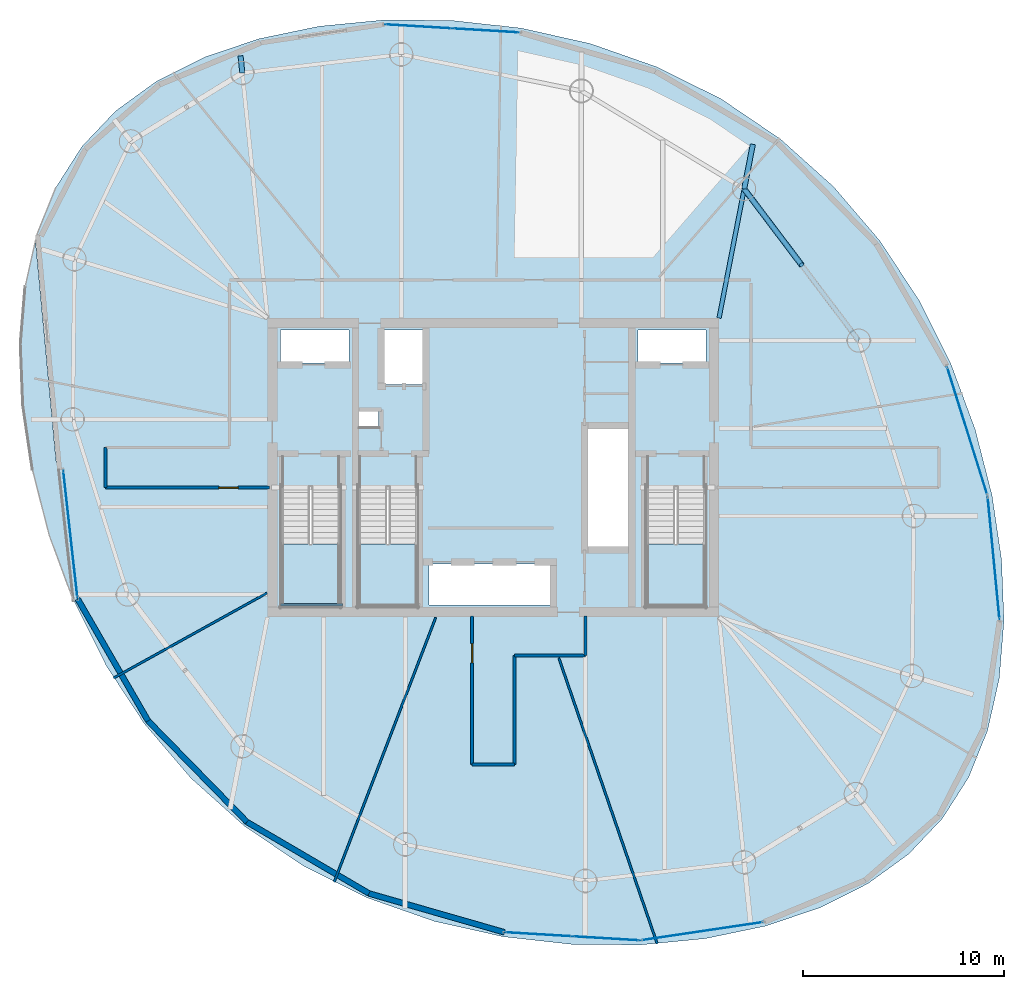
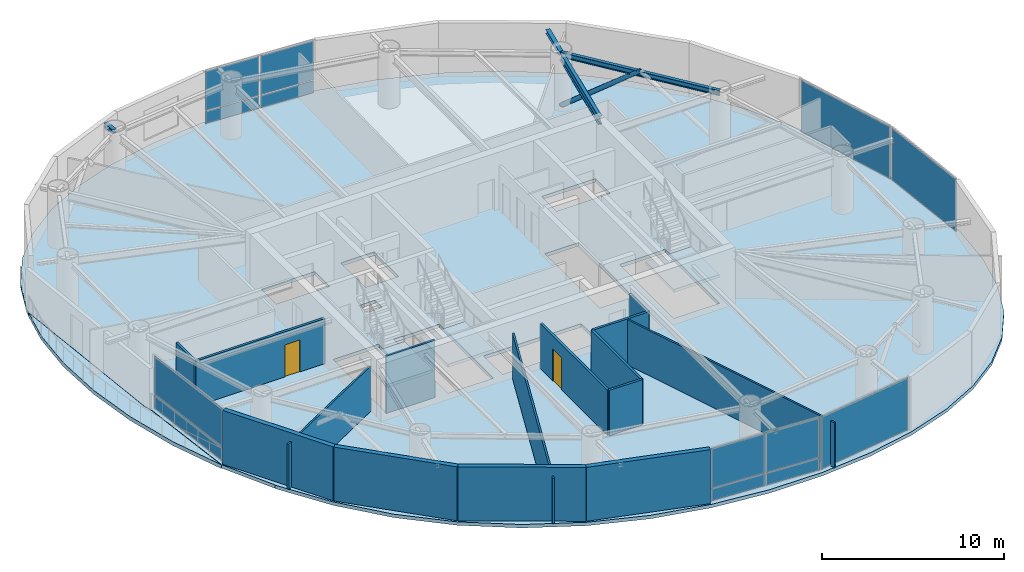
# One storey, part 12 of 18: 15 walls, 13 plates, 5 slabs, 4 beams, 2 doors, 1 member, 2 openings, 9 elements without a shape of their own.
"""IFC4 building model written with IfcOpenShell, lengths in metres."""

import ifcopenshell
import ifcopenshell.guid

model = None  # the IFC model being written
_history = None  # IfcOwnerHistory: only IFC2X3 demands one
_inside = {}  # id of a spatial element -> (the spatial element, [elements in it])
_under = {}  # id of a project, library or spatial element -> (it, [spatial elements below it])
_declared = {}  # id of a project -> (the project, [libraries it declares])
_typed = {}  # id of a type object -> (the type object, [elements of that type])
_made_of = {}  # id of a material, layer set ... -> (it, [elements and type objects made of it])


def new_model(schema):
    """Start an empty IFC model of exactly this schema.

    Asked for "IFC4X3", IfcOpenShell would pick the latest addendum, in which some entities
    have other attributes; the version numbers below select the first issue.
    IFC2X3 requires an IfcOwnerHistory on every rooted entity: one is made here for all.
    """
    global model, _history
    if schema == "IFC4X3":
        model = ifcopenshell.file(schema_version=(4, 3, 0, 0))
    else:
        model = ifcopenshell.file(schema=schema)
    _inside.clear()
    _under.clear()
    _declared.clear()
    _typed.clear()
    _made_of.clear()
    _history = None
    if model.schema == "IFC2X3":
        org = make("IfcOrganization", Name="unknown")
        user = make(
            "IfcPersonAndOrganization",
            ThePerson=make("IfcPerson", FamilyName="unknown"),
            TheOrganization=org,
        )
        app = make(
            "IfcApplication",
            ApplicationDeveloper=org,
            Version="unknown",
            ApplicationFullName="unknown",
            ApplicationIdentifier="unknown",
        )
        _history = make(
            "IfcOwnerHistory",
            OwningUser=user,
            OwningApplication=app,
            ChangeAction="ADDED",
            CreationDate=0,
        )
    return model


def make(cls, **values):
    """One entity of the class cls with the attributes given. An attribute that is None is left unset."""
    return model.create_entity(
        cls, **{name: value for name, value in values.items() if value is not None}
    )


def rooted(cls, **values):
    """An entity with a GlobalId (a new one), such as an element, a storey or a relation."""
    return make(cls, GlobalId=ifcopenshell.guid.new(), OwnerHistory=_history, **values)


def si_unit(unit_type, name, prefix=None):
    """IfcSIUnit, for example si_unit("LENGTHUNIT", "METRE", prefix="MILLI")."""
    return make("IfcSIUnit", UnitType=unit_type, Prefix=prefix, Name=name)


def assignment(units):
    """IfcUnitAssignment: the units of a project."""
    return None if units is None else make("IfcUnitAssignment", Units=units)


def point(xyz):
    """IfcCartesianPoint."""
    return None if xyz is None else make("IfcCartesianPoint", Coordinates=xyz)


def direction(xyz):
    """IfcDirection."""
    return None if xyz is None else make("IfcDirection", DirectionRatios=xyz)


def frame(location, z_axis=None, x_axis=None):
    """IfcAxis2Placement3D, a coordinate frame: its origin and axes. An axis left out is left unset."""
    return make(
        "IfcAxis2Placement3D",
        Location=point(location),
        Axis=direction(z_axis),
        RefDirection=direction(x_axis),
    )


def frame_2d(location, x_axis=None):
    """IfcAxis2Placement2D, a coordinate frame in the plane: its origin and x axis."""
    return make(
        "IfcAxis2Placement2D", Location=point(location), RefDirection=direction(x_axis)
    )


def origin():
    """The frame at (0, 0, 0) with its axes left unset."""
    return frame((0.0, 0.0, 0.0))


def origin_2d():
    """The frame at (0, 0) in the plane with its x axis left unset."""
    return frame_2d((0.0, 0.0))


def place(relative_to, where):
    """IfcLocalPlacement: puts the frame where relative to a parent placement (None: the world)."""
    return make(
        "IfcLocalPlacement", PlacementRelTo=relative_to, RelativePlacement=where
    )


def context(
    kind, dimensions, precision=None, world=None, true_north=None, identifier=None
):
    """IfcGeometricRepresentationContext, for example the 3D "Model" context."""
    return make(
        "IfcGeometricRepresentationContext",
        ContextIdentifier=identifier,
        ContextType=kind,
        CoordinateSpaceDimension=dimensions,
        Precision=precision,
        WorldCoordinateSystem=world,
        TrueNorth=true_north,
    )


def subcontext(parent, identifier, kind, view, scale=None):
    """IfcGeometricRepresentationSubContext, for example "Body" below "Model"."""
    return make(
        "IfcGeometricRepresentationSubContext",
        ContextIdentifier=identifier,
        ContextType=kind,
        ParentContext=parent,
        TargetScale=scale,
        TargetView=view,
    )


def project(units=None, contexts=None):
    """IfcProject with its units and contexts."""
    return rooted(
        "IfcProject",
        Name="project",
        RepresentationContexts=contexts,
        UnitsInContext=assignment(units),
    )


def spatial(cls, under=None, at=None, **own):
    """A site, building, storey or space (cls), placed at a placement, below another one or the project."""
    s = rooted(cls, ObjectPlacement=at, **own)
    if under is not None:
        _under.setdefault(under.id(), (under, []))[1].append(s)
    return s


def polyline(points):
    """IfcPolyline through the points."""
    return make("IfcPolyline", Points=[point(p) for p in points])


def profile(cls, at=None, kind="AREA", **sizes):
    """A parametric profile (cls). Its sizes go by their IFC names, for example OverallWidth=200.0."""
    return make(cls, ProfileType=kind, Position=at, **sizes)


def rectangle(**sizes):
    """IfcRectangleProfileDef."""
    return profile("IfcRectangleProfileDef", **sizes)


def hollow_circle(**sizes):
    """IfcCircleHollowProfileDef."""
    return profile("IfcCircleHollowProfileDef", **sizes)


def i_section(**sizes):
    """IfcIShapeProfileDef."""
    return profile("IfcIShapeProfileDef", **sizes)


def outline(outer, holes=None, kind="AREA"):
    """IfcArbitraryClosedProfileDef: a profile drawn as a closed curve; with holes, ...WithVoids."""
    if holes is None:
        return make("IfcArbitraryClosedProfileDef", ProfileType=kind, OuterCurve=outer)
    return make(
        "IfcArbitraryProfileDefWithVoids",
        ProfileType=kind,
        OuterCurve=outer,
        InnerCurves=holes,
    )


def extrude(swept, where, along, depth):
    """IfcExtrudedAreaSolid: the profile swept, set in the frame where, extruded along a direction by depth."""
    return make(
        "IfcExtrudedAreaSolid",
        SweptArea=swept,
        Position=where,
        ExtrudedDirection=direction(along),
        Depth=depth,
    )


def shape(context_of_items, identifier, shape_type, items):
    """IfcShapeRepresentation: the items that make up one representation, for example the "Body"."""
    return make(
        "IfcShapeRepresentation",
        ContextOfItems=context_of_items,
        RepresentationIdentifier=identifier,
        RepresentationType=shape_type,
        Items=items,
    )


def material(Name=None, Category=None):
    """IfcMaterial."""
    return make("IfcMaterial", Name=Name, Category=Category)


def layer(
    of_material, thickness, ventilated=None, Name=None, Category=None, Priority=None
):
    """IfcMaterialLayer: one layer of a wall or slab, of a material (None: an air gap)."""
    return make(
        "IfcMaterialLayer",
        Material=of_material,
        LayerThickness=thickness,
        IsVentilated=ventilated,
        Name=Name,
        Category=Category,
        Priority=Priority,
    )


def layer_set(layers, Name=None):
    """IfcMaterialLayerSet."""
    return make("IfcMaterialLayerSet", MaterialLayers=layers, LayerSetName=Name)


def material_profile(
    of_material, cross_section, Name=None, Category=None, Priority=None
):
    """IfcMaterialProfile: a cross section and its material."""
    return make(
        "IfcMaterialProfile",
        Name=Name,
        Material=of_material,
        Profile=cross_section,
        Priority=Priority,
        Category=Category,
    )


def profile_set(profiles, Name=None, composite=None):
    """IfcMaterialProfileSet."""
    return make(
        "IfcMaterialProfileSet",
        Name=Name,
        MaterialProfiles=profiles,
        CompositeProfile=composite,
    )


def made_of(thing, what):
    """Note that an element or type object is made of a material, layer set ...; save() writes the relation."""
    if what is not None:
        _made_of.setdefault(what.id(), (what, []))[1].append(thing)
    return thing


def type_object(cls, material=None, **own):
    """A type object (cls), such as IfcWallType, which elements share."""
    return made_of(rooted(cls, **own), material)


def element(
    cls,
    number,
    at=None,
    inside=None,
    cuts=None,
    type_object=None,
    material=None,
    context=None,
    identifier="Body",
    shape_type=None,
    held_by="IfcProductDefinitionShape",
    body=None,
    shapes=None,
    **own,
):
    """One element of the class cls, such as IfcWall. Its Tag is "e" and its number.

    at: its placement. inside: the storey or other place that contains it. cuts: it is an
    opening in that element (IfcRelVoidsElement). A single representation is given by context,
    identifier, shape_type and body (its items); several are given by shapes. held_by: the class
    of the entity that holds the representations. save() writes the other relations.
    """
    e = rooted(cls, Tag="e%d" % number, ObjectPlacement=at, **own)
    if body is not None:
        shapes = [shape(context, identifier, shape_type, body)]
    if shapes is not None:
        e.Representation = make(held_by, Representations=shapes)
    if inside is not None:
        _inside.setdefault(inside.id(), (inside, []))[1].append(e)
    if cuts is not None:
        rooted(
            "IfcRelVoidsElement", RelatingBuildingElement=cuts, RelatedOpeningElement=e
        )
    if type_object is not None:
        _typed.setdefault(type_object.id(), (type_object, []))[1].append(e)
    return made_of(e, material)


def fill(opening, filler):
    """IfcRelFillsElement: the door or window that sits in an opening."""
    return rooted(
        "IfcRelFillsElement",
        RelatingOpeningElement=opening,
        RelatedBuildingElement=filler,
    )


def aggregate(whole, parts):
    """IfcRelAggregates: a whole, such as a stair, and the parts it consists of."""
    return rooted("IfcRelAggregates", RelatingObject=whole, RelatedObjects=parts)


def save(model, path):
    """Write the relations noted so far, then the file.

    IfcRelAggregates (storeys below a building ...), IfcRelContainedInSpatialStructure (elements
    in a storey), IfcRelDefinesByType, IfcRelAssociatesMaterial and IfcRelDeclares: one each for
    every whole, place, type object, material and project.
    """
    for whole, parts in _under.values():
        aggregate(whole, parts)
    for where, things in _inside.values():
        rooted(
            "IfcRelContainedInSpatialStructure",
            RelatedElements=things,
            RelatingStructure=where,
        )
    for kind, things in _typed.values():
        rooted("IfcRelDefinesByType", RelatedObjects=things, RelatingType=kind)
    for what, things in _made_of.values():
        rooted("IfcRelAssociatesMaterial", RelatedObjects=things, RelatingMaterial=what)
    for by, libraries in _declared.values():
        rooted("IfcRelDeclares", RelatingContext=by, RelatedDefinitions=libraries)
    model.write(path)


model = new_model("IFC4")

# Units and contexts
model_context = context("Model", 3, precision=1e-05, world=origin(), true_north=direction((0.0, 1.0)))
body_context = subcontext(model_context, "Body", "Model", "MODEL_VIEW")
ifc_project = project(units=[si_unit("LENGTHUNIT", "METRE"), si_unit("AREAUNIT", "SQUARE_METRE"), si_unit("VOLUMEUNIT", "CUBIC_METRE"), si_unit("PLANEANGLEUNIT", "RADIAN"), si_unit("MASSUNIT", "GRAM", prefix="KILO")], contexts=[model_context])

# Site, building, storey
site_placement = place(None, origin())
site = spatial("IfcSite", under=ifc_project, at=site_placement, CompositionType="ELEMENT")
building_placement = place(site_placement, origin())
building = spatial("IfcBuilding", under=site, at=building_placement, Name="Bramvorn Convention Spire", CompositionType="ELEMENT")
storey_placement = place(building_placement, frame((0.0, 0.0, 182.75)))
storey = spatial("IfcBuildingStorey", under=building, at=storey_placement, Name="L46", CompositionType="ELEMENT", Elevation=182.75)

# Beams
ifc_material_1 = material(Name="Steel CSA G40.21 Grade 350 (350W)", Category="steel")
ifc_material_profile_1 = material_profile(ifc_material_1, i_section(OverallWidth=0.25390625, OverallDepth=0.2529296875, WebThickness=0.008544921875, FlangeThickness=0.01416015625, FilletRadius=0.011962890625, at=origin_2d()))
ifc_profile_set_1 = profile_set([ifc_material_profile_1], Name="Steel CSA G40.21 Grade 350 (350W) - W250X73")
beam_type_1 = type_object("IfcBeamType", Name="BM-W250X73", PredefinedType="BEAM", material=ifc_profile_set_1)
beam_1_placement = place(storey_placement, frame((50.501953125, 39.885009765625, 3.493408203125), z_axis=(0.191034132343, 0.98158339446, 0.0), x_axis=(-0.98158339446, 0.191034132343, 0.0)))
element("IfcBeam", 1, at=beam_1_placement, inside=storey, type_object=beam_type_1, Name="L46 slab-edge cantilever tip beam MC05", PredefinedType="BEAM", context=body_context, shape_type="SweptSolid", body=[
    extrude(i_section(OverallWidth=0.25390625, OverallDepth=0.2529296875, WebThickness=0.008544921875, FlangeThickness=0.01416015625, FilletRadius=0.011962890625, at=origin_2d()), origin(), (0.0, 0.0, 1.0), 2.2646484375),
])
beam_2_placement = place(storey_placement, frame((25.49560546875, 45.663818359375, 3.493408203125), z_axis=(-0.102180528741, 0.994765871724, 0.0), x_axis=(-0.994765871724, -0.102180528741, 0.0)))
element("IfcBeam", 2, at=beam_2_placement, inside=storey, type_object=beam_type_1, Name="L46 slab-edge cantilever tip beam MC08", PredefinedType="BEAM", context=body_context, shape_type="SweptSolid", body=[
    extrude(i_section(OverallWidth=0.25390625, OverallDepth=0.2529296875, WebThickness=0.008544921875, FlangeThickness=0.01416015625, FilletRadius=0.011962890625, at=origin_2d()), origin(), (0.0, 0.0, 1.0), 0.857666015625),
])
ifc_material_profile_2 = material_profile(ifc_material_1, i_section(OverallWidth=0.205078125, OverallDepth=0.35400390625, WebThickness=0.009521484375, FlangeThickness=0.016845703125, FilletRadius=0.014892578125, at=origin_2d()))
ifc_profile_set_2 = profile_set([ifc_material_profile_2], Name="Steel CSA G40.21 Grade 350 (350W) - W360X79")
beam_type_2 = type_object("IfcBeamType", Name="BM-W360X79", PredefinedType="JOIST", material=ifc_profile_set_2)
beam_3_placement = place(storey_placement, frame((56.21044921875, 32.327392578125, 3.443115234375), z_axis=(-0.602718581414, 0.797953827999, 0.0), x_axis=(-0.797953827999, -0.602718581414, 0.0)))
element("IfcBeam", 3, at=beam_3_placement, inside=storey, type_object=beam_type_2, Name="L46 mega-column ring beam 04", PredefinedType="JOIST", context=body_context, shape_type="SweptSolid", body=[
    extrude(i_section(OverallWidth=0.205078125, OverallDepth=0.35400390625, WebThickness=0.009521484375, FlangeThickness=0.016845703125, FilletRadius=0.014892578125, at=origin_2d()), origin(), (0.0, 0.0, 1.0), 9.47119140625),
])
ifc_material_profile_3 = material_profile(ifc_material_1, i_section(OverallWidth=0.2119140625, OverallDepth=0.5439453125, WebThickness=0.01318359375, FlangeThickness=0.021240234375, FilletRadius=0.01904296875, at=origin_2d()))
ifc_profile_set_3 = profile_set([ifc_material_profile_3], Name="Steel CSA G40.21 Grade 350 (350W) - W530X123")
beam_type_3 = type_object("IfcBeamType", Name="BM-W530X123", PredefinedType="BEAM", material=ifc_profile_set_3)
beam_4_placement = place(storey_placement, frame((49.25, 33.449951171875, 3.347900390625), z_axis=(0.190971329886, 0.981595614885, 0.0), x_axis=(-0.981595614885, 0.190971329886, 0.0)))
element("IfcBeam", 4, at=beam_4_placement, inside=storey, type_object=beam_type_3, Name="L46 radial floor girder MC05", PredefinedType="BEAM", context=body_context, shape_type="SweptSolid", body=[
    extrude(i_section(OverallWidth=0.2119140625, OverallDepth=0.5439453125, WebThickness=0.01318359375, FlangeThickness=0.021240234375, FilletRadius=0.01904296875, at=origin_2d()), origin(), (0.0, 0.0, 1.0), 6.5556640625),
])

# Member
ifc_material_profile_4 = material_profile(ifc_material_1, hollow_circle(Radius=0.136474609375, WallThickness=0.0126953125, at=origin_2d()))
ifc_profile_set_4 = profile_set([ifc_material_profile_4], Name="Steel CSA G40.21 Grade 350 (350W) - CHS273X13")
member_type = type_object("IfcMemberType", Name="MBR-CHS273X13", PredefinedType="BRACE", material=ifc_profile_set_4)
member_placement = place(storey_placement, frame((50.501953125, 39.885009765625, 0.0), z_axis=(0.478834801206, -0.633941070316, 0.607318658137), x_axis=(0.797953827999, 0.602718581414, 0.0)))
element("IfcMember", 5, at=member_placement, inside=storey, type_object=member_type, Name="L46 perimeter Gothic lancet brace 4B", PredefinedType="BRACE", context=body_context, shape_type="SweptSolid", body=[
    extrude(hollow_circle(Radius=0.136474609375, WallThickness=0.0126953125, at=origin_2d()), origin(), (0.0, 0.0, 1.0), 5.9609375),
])

# Curtain wall, plate
ifc_material_2 = material(Name="Anodised Bronze Unitised Curtain Wall", Category="aluminium")
ifc_layer_1 = layer(ifc_material_2, 0.179931640625)
ifc_layer_set_1 = layer_set([ifc_layer_1], Name="Anodised Bronze Unitised Curtain Wall - CW-OFF-FRIT")
curtain_wall_type_1 = type_object("IfcCurtainWallType", Name="CW-OFF-FRIT", PredefinedType="USERDEFINED", material=ifc_layer_set_1)
curtain_wall_1_placement = place(storey_placement, origin())
curtain_wall_1 = element("IfcCurtainWall", 6, at=curtain_wall_1_placement, inside=storey, type_object=curtain_wall_type_1, Name="L46 fritted glass curtain wall 03", ObjectType="UNITISED CURTAIN WALL", PredefinedType="USERDEFINED")
ifc_material_3 = material(Name="Laminated Low-E Glass (Triple IGU Solar Bronze Frit 28%)", Category="glass")
ifc_layer_2 = layer(ifc_material_3, 0.0400390625)
ifc_layer_set_2 = layer_set([ifc_layer_2], Name="Laminated Low-E Glass (Triple IGU Solar Bronze Frit 28%) - PNL-IGU-3")
plate_type_1 = type_object("IfcPlateType", Name="PNL-IGU-3", PredefinedType="CURTAIN_PANEL", material=ifc_layer_set_2)
plate_1_placement = place(storey_placement, frame((62.93310546875, 21.494384765625, 0.06005859375), z_axis=(0.0, 0.0, 1.0), x_axis=(0.096219485371, -0.995360141173, 0.0)))
plate_1 = element("IfcPlate", 7, at=plate_1_placement, type_object=plate_type_1, Name="CW3 panel 1.1", PredefinedType="CURTAIN_PANEL", context=body_context, shape_type="SweptSolid", body=[
    extrude(rectangle(XDim=6.1064453125, YDim=0.028076171875, at=origin_2d()), origin(), (0.0, 0.0, 1.0), 3.5),
])
aggregate(curtain_wall_1, [plate_1])

curtain_wall_2_placement = place(storey_placement, origin())
curtain_wall_2 = element("IfcCurtainWall", 8, at=curtain_wall_2_placement, inside=storey, type_object=curtain_wall_type_1, Name="L46 fritted glass curtain wall 04", ObjectType="UNITISED CURTAIN WALL", PredefinedType="USERDEFINED")
plate_2_placement = place(storey_placement, frame((61.616455078125, 27.829345703125, 0.06005859375), z_axis=(0.0, 0.0, 1.0), x_axis=(0.299828896345, -0.953992994165, 0.0)))
plate_2 = element("IfcPlate", 9, at=plate_2_placement, type_object=plate_type_1, Name="CW3 panel 1.1", PredefinedType="CURTAIN_PANEL", context=body_context, shape_type="SweptSolid", body=[
    extrude(rectangle(XDim=6.66455078125, YDim=0.028076171875, at=origin_2d()), origin(), (0.0, 0.0, 1.0), 3.5),
])
aggregate(curtain_wall_2, [plate_2])

# Curtain wall, plates
curtain_wall_3_placement = place(storey_placement, origin())
curtain_wall_3 = element("IfcCurtainWall", 10, at=curtain_wall_3_placement, inside=storey, type_object=curtain_wall_type_1, Name="L46 fritted glass curtain wall 09", ObjectType="UNITISED CURTAIN WALL", PredefinedType="USERDEFINED")
plate_3_placement = place(storey_placement, frame((34.274658203125, 47.98095703125, 0.06005859375), z_axis=(0.0, 0.0, 1.0), x_axis=(0.998191001687, -0.060122576056, 0.0)))
plate_3 = element("IfcPlate", 11, at=plate_3_placement, type_object=plate_type_1, Name="CW3 panel 1.1", PredefinedType="CURTAIN_PANEL", context=body_context, shape_type="SweptSolid", body=[
    extrude(rectangle(XDim=3.30224609375, YDim=0.028076171875, at=origin_2d()), origin(), (0.0, 0.0, 1.0), 0.81005859375),
])
plate_4_placement = place(storey_placement, frame((34.274658203125, 47.98095703125, 0.93017578125), z_axis=(0.0, 0.0, 1.0), x_axis=(0.998191001687, -0.060122576056, 0.0)))
plate_4 = element("IfcPlate", 12, at=plate_4_placement, type_object=plate_type_1, Name="CW3 panel 1.2", PredefinedType="CURTAIN_PANEL", context=body_context, shape_type="SweptSolid", body=[
    extrude(rectangle(XDim=3.30224609375, YDim=0.028076171875, at=origin_2d()), origin(), (0.0, 0.0, 1.0), 2.6298828125),
])
plate_5_placement = place(storey_placement, frame((37.630859375, 47.77880859375, 0.06005859375), z_axis=(0.0, 0.0, 1.0), x_axis=(0.998191001687, -0.060122576056, 0.0)))
plate_5 = element("IfcPlate", 13, at=plate_5_placement, type_object=plate_type_1, Name="CW3 panel 2.1", PredefinedType="CURTAIN_PANEL", context=body_context, shape_type="SweptSolid", body=[
    extrude(rectangle(XDim=3.30224609375, YDim=0.028076171875, at=origin_2d()), origin(), (0.0, 0.0, 1.0), 0.81005859375),
])
plate_6_placement = place(storey_placement, frame((37.630859375, 47.77880859375, 0.93017578125), z_axis=(0.0, 0.0, 1.0), x_axis=(0.998191001687, -0.060122576056, 0.0)))
plate_6 = element("IfcPlate", 14, at=plate_6_placement, type_object=plate_type_1, Name="CW3 panel 2.2", PredefinedType="CURTAIN_PANEL", context=body_context, shape_type="SweptSolid", body=[
    extrude(rectangle(XDim=3.30224609375, YDim=0.028076171875, at=origin_2d()), origin(), (0.0, 0.0, 1.0), 2.6298828125),
])
aggregate(curtain_wall_3, [plate_3, plate_4, plate_5, plate_6])

curtain_wall_4_placement = place(storey_placement, origin())
curtain_wall_4 = element("IfcCurtainWall", 15, at=curtain_wall_4_placement, inside=storey, type_object=curtain_wall_type_1, Name="L46 fritted glass curtain wall 21", ObjectType="UNITISED CURTAIN WALL", PredefinedType="USERDEFINED")
plate_7_placement = place(storey_placement, frame((43.616455078125, 2.541259765625, 0.06005859375), z_axis=(0.0, 0.0, 1.0), x_axis=(-0.998191054964, 0.060121691503, 0.0)))
plate_7 = element("IfcPlate", 16, at=plate_7_placement, type_object=plate_type_1, Name="CW3 panel 1.1", PredefinedType="CURTAIN_PANEL", context=body_context, shape_type="SweptSolid", body=[
    extrude(rectangle(XDim=3.30224609375, YDim=0.028076171875, at=origin_2d()), origin(), (0.0, 0.0, 1.0), 0.81005859375),
])
plate_8_placement = place(storey_placement, frame((43.616455078125, 2.541259765625, 0.93017578125), z_axis=(0.0, 0.0, 1.0), x_axis=(-0.998191054964, 0.060121691503, 0.0)))
plate_8 = element("IfcPlate", 17, at=plate_8_placement, type_object=plate_type_1, Name="CW3 panel 1.2", PredefinedType="CURTAIN_PANEL", context=body_context, shape_type="SweptSolid", body=[
    extrude(rectangle(XDim=3.30224609375, YDim=0.028076171875, at=origin_2d()), origin(), (0.0, 0.0, 1.0), 2.6298828125),
])
plate_9_placement = place(storey_placement, frame((40.26025390625, 2.743408203125, 0.06005859375), z_axis=(0.0, 0.0, 1.0), x_axis=(-0.998191054964, 0.060121691503, 0.0)))
plate_9 = element("IfcPlate", 18, at=plate_9_placement, type_object=plate_type_1, Name="CW3 panel 2.1", PredefinedType="CURTAIN_PANEL", context=body_context, shape_type="SweptSolid", body=[
    extrude(rectangle(XDim=3.30224609375, YDim=0.028076171875, at=origin_2d()), origin(), (0.0, 0.0, 1.0), 0.81005859375),
])
plate_10_placement = place(storey_placement, frame((40.26025390625, 2.743408203125, 0.93017578125), z_axis=(0.0, 0.0, 1.0), x_axis=(-0.998191054964, 0.060121691503, 0.0)))
plate_10 = element("IfcPlate", 19, at=plate_10_placement, type_object=plate_type_1, Name="CW3 panel 2.2", PredefinedType="CURTAIN_PANEL", context=body_context, shape_type="SweptSolid", body=[
    extrude(rectangle(XDim=3.30224609375, YDim=0.028076171875, at=origin_2d()), origin(), (0.0, 0.0, 1.0), 2.6298828125),
])
aggregate(curtain_wall_4, [plate_7, plate_8, plate_9, plate_10])

# Curtain wall, plate
curtain_wall_5_placement = place(storey_placement, origin())
curtain_wall_5 = element("IfcCurtainWall", 20, at=curtain_wall_5_placement, inside=storey, type_object=curtain_wall_type_1, Name="L46 fritted glass curtain wall 22", ObjectType="UNITISED CURTAIN WALL", PredefinedType="USERDEFINED")
plate_11_placement = place(storey_placement, frame((48.40380859375, 2.8974609375, 0.06005859375), z_axis=(0.0, 0.0, 1.0), x_axis=(-0.989071299411, -0.147438002841, 0.0)))
plate_11 = element("IfcPlate", 21, at=plate_11_placement, type_object=plate_type_1, Name="CW3 panel 1.1", PredefinedType="CURTAIN_PANEL", context=body_context, shape_type="SweptSolid", body=[
    extrude(rectangle(XDim=6.1064453125, YDim=0.028076171875, at=origin_2d()), origin(), (0.0, 0.0, 1.0), 3.5),
])
aggregate(curtain_wall_5, [plate_11])

# Curtain wall, plates
ifc_layer_3 = layer(ifc_material_2, 0.219970703125)
ifc_layer_set_3 = layer_set([ifc_layer_3], Name="Anodised Bronze Unitised Curtain Wall - CW-SKYGARDEN")
curtain_wall_type_2 = type_object("IfcCurtainWallType", Name="CW-SKYGARDEN", PredefinedType="USERDEFINED", material=ifc_layer_set_3)
curtain_wall_6_placement = place(storey_placement, origin())
curtain_wall_6 = element("IfcCurtainWall", 22, at=curtain_wall_6_placement, inside=storey, type_object=curtain_wall_type_2, Name="L46 Sky Garden glazed facade 16", ObjectType="WINTER GARDEN GLAZING", PredefinedType="USERDEFINED")
ifc_material_4 = material(Name="Laminated Low-E Glass (Acoustic Laminated Podium Triple IGU)", Category="glass")
ifc_layer_4 = layer(ifc_material_4, 0.0458984375)
ifc_layer_set_4 = layer_set([ifc_layer_4], Name="Laminated Low-E Glass (Acoustic Laminated Podium Triple IGU) - PNL-IGU-5")
plate_type_2 = type_object("IfcPlateType", Name="PNL-IGU-5", PredefinedType="CURTAIN_PANEL", material=ifc_layer_set_4)
plate_12_placement = place(storey_placement, frame((16.931884765625, 22.674560546875, 0.06005859375), z_axis=(0.0, 0.0, 1.0), x_axis=(-0.111173887436, 0.993800969386, 0.0)))
plate_12 = element("IfcPlate", 23, at=plate_12_placement, type_object=plate_type_2, Name="CW4 panel 1.1", PredefinedType="CURTAIN_PANEL", context=body_context, shape_type="SweptSolid", body=[
    extrude(rectangle(XDim=6.35546875, YDim=0.028076171875, at=origin_2d()), origin(), (0.0, 0.0, 1.0), 0.909912109375),
])
plate_13_placement = place(storey_placement, frame((16.931884765625, 22.674560546875, 1.02978515625), z_axis=(0.0, 0.0, 1.0), x_axis=(-0.111173887436, 0.993800969386, 0.0)))
plate_13 = element("IfcPlate", 24, at=plate_13_placement, type_object=plate_type_2, Name="CW4 panel 1.2", PredefinedType="CURTAIN_PANEL", context=body_context, shape_type="SweptSolid", body=[
    extrude(rectangle(XDim=6.35546875, YDim=0.028076171875, at=origin_2d()), origin(), (0.0, 0.0, 1.0), 2.530029296875),
])
aggregate(curtain_wall_6, [plate_12, plate_13])

# Slab
ifc_material_5 = material(Name="Concrete C40/50 Sky-Garden Terrace Slab", Category="concrete")
ifc_layer_5 = layer(ifc_material_5, 0.260009765625)
ifc_layer_set_5 = layer_set([ifc_layer_5], Name="Concrete C40/50 Sky-Garden Terrace Slab - SLB-SKYGARDEN-260")
slab_type_1 = type_object("IfcSlabType", Name="SLB-SKYGARDEN-260", PredefinedType="FLOOR", material=ifc_layer_set_5)
slab_1_placement = place(storey_placement, frame((0.0, 0.0, -0.260009765625)))
element("IfcSlab", 25, at=slab_1_placement, inside=storey, type_object=slab_type_1, Name="L46 planted double-height Sky Garden terrace slab", PredefinedType="FLOOR", context=body_context, shape_type="SweptSolid", body=[
    extrude(outline(polyline([(15.039306640625, 25.902587890625), (15.876708984375, 22.62939453125), (17.0830078125, 19.368408203125), (16.353515625, 25.8671875), (16.216064453125, 26.3701171875), (15.193603515625, 37.3203125), (14.675537109375, 35.013916015625), (14.443359375, 32.160888671875), (14.563720703125, 29.104248046875), (15.039306640625, 25.902587890625)])), origin(), (0.0, 0.0, 1.0), 0.260009765625),
])

# Stair, slab
ifc_material_6 = material(Name="Concrete C40/50 Precast Stair", Category="concrete")
stair_type = type_object("IfcStairType", Name="ST-TOWER-1550", PredefinedType="HALF_TURN_STAIR", material=ifc_material_6)
stair_1_placement = place(storey_placement, origin())
stair_1 = element("IfcStair", 26, at=stair_1_placement, inside=storey, type_object=stair_type, Name="L46 Protected Exit Stair ST1", PredefinedType="HALF_TURN_STAIR")
ifc_material_7 = material(Name="Concrete C40/50 Stair Landing", Category="concrete")
ifc_layer_6 = layer(ifc_material_7, 0.219970703125)
ifc_layer_set_6 = layer_set([ifc_layer_6], Name="Concrete C40/50 Stair Landing - SLB-STAIR-LANDING")
slab_type_2 = type_object("IfcSlabType", Name="SLB-STAIR-LANDING", PredefinedType="LANDING", material=ifc_layer_set_6)
slab_2_placement = place(storey_placement, frame((0.0, 0.0, 1.72509765625)))
slab_2 = element("IfcSlab", 27, at=slab_2_placement, type_object=slab_type_2, Name="ST1 landing 1", PredefinedType="LANDING", context=body_context, shape_type="SweptSolid", body=[
    extrude(outline(polyline([(27.449951171875, 22.199951171875), (27.449951171875, 19.10009765625), (30.35009765625, 19.10009765625), (30.35009765625, 22.199951171875), (27.449951171875, 22.199951171875)])), origin(), (0.0, 0.0, 1.0), 0.199951171875),
])
aggregate(stair_1, [slab_2])

stair_2_placement = place(storey_placement, origin())
stair_2 = element("IfcStair", 28, at=stair_2_placement, inside=storey, type_object=stair_type, Name="L46 Protected Exit Stair ST2", PredefinedType="HALF_TURN_STAIR")
slab_3_placement = place(storey_placement, frame((0.0, 0.0, 1.72509765625)))
slab_3 = element("IfcSlab", 29, at=slab_3_placement, type_object=slab_type_2, Name="ST2 landing 1", PredefinedType="LANDING", context=body_context, shape_type="SweptSolid", body=[
    extrude(outline(polyline([(45.64990234375, 22.199951171875), (45.64990234375, 19.10009765625), (48.550048828125, 19.10009765625), (48.550048828125, 22.199951171875), (45.64990234375, 22.199951171875)])), origin(), (0.0, 0.0, 1.0), 0.199951171875),
])
aggregate(stair_2, [slab_3])

stair_3_placement = place(storey_placement, origin())
stair_3 = element("IfcStair", 30, at=stair_3_placement, inside=storey, type_object=stair_type, Name="L46 Protected Exit Stair ST3", PredefinedType="HALF_TURN_STAIR")
slab_4_placement = place(storey_placement, frame((0.0, 0.0, 1.72509765625)))
slab_4 = element("IfcSlab", 31, at=slab_4_placement, type_object=slab_type_2, Name="ST3 landing 1", PredefinedType="LANDING", context=body_context, shape_type="SweptSolid", body=[
    extrude(outline(polyline([(31.300048828125, 22.199951171875), (31.300048828125, 19.10009765625), (34.199951171875, 19.10009765625), (34.199951171875, 22.199951171875), (31.300048828125, 22.199951171875)])), origin(), (0.0, 0.0, 1.0), 0.199951171875),
])
aggregate(stair_3, [slab_4])

# Slab
ifc_material_8 = material(Name="Concrete C40/50", Category="concrete")
ifc_layer_7 = layer(ifc_material_8, 0.22998046875)
ifc_layer_set_7 = layer_set([ifc_layer_7], Name="Concrete C40/50 - SLB-Z3-230")
slab_type_3 = type_object("IfcSlabType", Name="SLB-Z3-230", PredefinedType="FLOOR", material=ifc_layer_set_7)
slab_5_placement = place(storey_placement, frame((0.0, 0.0, -0.22998046875)))
element("IfcSlab", 32, at=slab_5_placement, inside=storey, type_object=slab_type_3, Name="L46 tower floor slab", PredefinedType="FLOOR", context=body_context, shape_type="SweptSolid", body=[
    extrude(outline(polyline([(58.705810546875, 6.750732421875), (56.668212890625, 5.2705078125), (54.2802734375, 4.071533203125), (51.568115234375, 3.156005859375), (48.572998046875, 2.533203125), (45.351318359375, 2.22021484375), (41.972900390625, 2.24072265625), (38.51708984375, 2.62255859375), (35.068603515625, 3.3916015625), (31.7119140625, 4.567626953125), (28.5263671875, 6.158447265625), (25.580810546875, 8.155029296875), (22.930908203125, 10.530029296875), (20.61669921875, 13.236083984375), (18.663818359375, 16.20849609375), (18.65478515625, 16.226318359375), (18.681640625, 16.21728515625), (17.1025390625, 19.374267578125), (16.373291015625, 25.869384765625), (16.22607421875, 26.37109375), (15.20068359375, 37.351806640625), (15.260986328125, 37.62109375), (16.20458984375, 39.956298828125), (17.51171875, 42.007080078125), (19.185546875, 43.771484375), (21.222900390625, 45.251953125), (23.611083984375, 46.450927734375), (26.3232421875, 47.366455078125), (29.318359375, 47.9892578125), (32.539794921875, 48.30224609375), (35.918212890625, 48.281494140625), (39.374267578125, 47.89990234375), (42.82275390625, 47.130615234375), (46.179443359375, 45.95458984375), (49.364990234375, 44.364013671875), (52.310302734375, 42.3671875), (54.960205078125, 39.992431640625), (57.2744140625, 37.286376953125), (59.2275390625, 34.31396484375), (60.80810546875, 31.15380859375), (62.0146484375, 27.89306640625), (62.85205078125, 24.619873046875), (63.32763671875, 21.418212890625), (63.44775390625, 18.361572265625), (63.2158203125, 15.50830078125), (62.630126953125, 12.901123046875), (61.6865234375, 10.566162109375), (60.37939453125, 8.51513671875), (58.705810546875, 6.750732421875)]), holes=[polyline([(27.449951171875, 25.050048828125), (27.449951171875, 19.10009765625), (30.35009765625, 19.10009765625), (30.35009765625, 25.050048828125), (27.449951171875, 25.050048828125)]), polyline([(45.64990234375, 25.050048828125), (45.64990234375, 19.10009765625), (48.550048828125, 19.10009765625), (48.550048828125, 25.050048828125), (45.64990234375, 25.050048828125)]), polyline([(31.300048828125, 25.050048828125), (31.300048828125, 19.10009765625), (34.199951171875, 19.10009765625), (34.199951171875, 25.050048828125), (31.300048828125, 25.050048828125)]), polyline([(27.39990234375, 31.219970703125), (30.800048828125, 31.219970703125), (30.800048828125, 32.85009765625), (27.39990234375, 32.85009765625), (27.39990234375, 31.219970703125)]), polyline([(45.199951171875, 31.219970703125), (48.60009765625, 31.219970703125), (48.60009765625, 32.85009765625), (45.199951171875, 32.85009765625), (45.199951171875, 31.219970703125)]), polyline([(32.449951171875, 30.14990234375), (34.56005859375, 30.14990234375), (34.56005859375, 32.85009765625), (32.449951171875, 32.85009765625), (32.449951171875, 30.14990234375)]), polyline([(34.800048828125, 19.14990234375), (40.97998046875, 19.14990234375), (40.97998046875, 21.199951171875), (34.800048828125, 21.199951171875), (34.800048828125, 19.14990234375)]), polyline([(42.6201171875, 22.0), (44.75, 22.0), (44.75, 28.0), (42.6201171875, 28.0), (42.6201171875, 22.0)]), polyline([(31.320068359375, 28.02001953125), (32.280029296875, 28.02001953125), (32.280029296875, 28.820068359375), (31.320068359375, 28.820068359375), (31.320068359375, 28.02001953125)])]), origin(), (0.0, 0.0, 1.0), 0.22998046875),
])

# Walls
ifc_material_9 = material(Name="Precast Concrete C40/50 with Bronze Terracotta Rainscreen", Category="masonry")
ifc_layer_8 = layer(ifc_material_9, 0.300048828125)
ifc_layer_set_8 = layer_set([ifc_layer_8], Name="Precast Concrete C40/50 with Bronze Terracotta Rainscreen - WL-EXT-BRONZE-300")
wall_type_1 = type_object("IfcWallType", Name="WL-EXT-BRONZE-300", PredefinedType="SOLIDWALL", material=ifc_layer_set_8)
wall_1_placement = place(storey_placement, frame((20.801513671875, 13.380126953125, 0.0), z_axis=(0.0, 0.0, 1.0), x_axis=(-0.500135006621, 0.865947443643, 0.0)))
element("IfcWall", 33, at=wall_1_placement, inside=storey, type_object=wall_type_1, Name="L46 expressed bronze Gothic lancet pier wall 17", PredefinedType="SOLIDWALL", context=body_context, shape_type="SweptSolid", body=[
    extrude(rectangle(XDim=7.017578125, YDim=0.280029296875, at=frame_2d((3.5087890625, 0.0))), origin(), (0.0, 0.0, 1.0), 3.6201171875),
])
for number, where, z_axis, x_axis, name in (
    (34, (25.72705078125, 8.34228515625, 0.0), (0.0, 0.0, 1.0), (-0.699092043152, 0.71503168825, 0.0), "L46 expressed bronze Gothic lancet pier wall 18"),
    (35, (31.806884765625, 4.781982421875, 0.0), (0.0, 0.0, 1.0), (-0.862929340309, 0.505324602246, 0.0), "L46 expressed bronze Gothic lancet pier wall 19"),
):
    element("IfcWall", number, at=place(storey_placement, frame(where, z_axis=z_axis, x_axis=x_axis)), inside=storey, type_object=wall_type_1, Name=name, PredefinedType="SOLIDWALL", context=body_context, shape_type="SweptSolid", body=[
        extrude(rectangle(XDim=7.045654296875, YDim=0.280029296875, at=frame_2d((3.52294921875, 0.0))), origin(), (0.0, 0.0, 1.0), 3.6201171875),
    ])
wall_2_placement = place(storey_placement, frame((38.55224609375, 2.846435546875, 0.0), z_axis=(0.0, 0.0, 1.0), x_axis=(-0.961210872826, 0.275814535443, 0.0)))
element("IfcWall", 36, at=wall_2_placement, inside=storey, type_object=wall_type_1, Name="L46 expressed bronze Gothic lancet pier wall 20", PredefinedType="SOLIDWALL", context=body_context, shape_type="SweptSolid", body=[
    extrude(rectangle(XDim=7.017578125, YDim=0.280029296875, at=frame_2d((3.5087890625, 0.0))), origin(), (0.0, 0.0, 1.0), 3.6201171875),
])
ifc_material_10 = material(Name="Lightweight En-Suite & Wet-Wall Partition", Category="gypsum")
ifc_layer_9 = layer(ifc_material_10, 0.110107421875)
ifc_layer_set_9 = layer_set([ifc_layer_9], Name="Lightweight En-Suite & Wet-Wall Partition - WL-PART-110")
wall_type_2 = type_object("IfcWallType", Name="WL-PART-110", PredefinedType="PARTITIONING", material=ifc_layer_set_9)
wall_3_placement = place(storey_placement, frame((26.72998046875, 19.7529296875, 0.0), z_axis=(0.0, 0.0, 1.0), x_axis=(-0.8746217995, -0.484805845509, 0.0)))
element("IfcWall", 37, at=wall_3_placement, inside=storey, type_object=wall_type_2, Name="L46 Tenant suite partition 6", PredefinedType="PARTITIONING", context=body_context, shape_type="SweptSolid", body=[
    extrude(rectangle(XDim=8.74365234375, YDim=0.110107421875, at=frame_2d((4.371826171875, 0.0))), origin(), (0.0, 0.0, 1.0), 3.034912109375),
])
wall_4_placement = place(storey_placement, frame((35.132568359375, 18.530029296875, 0.0), z_axis=(0.0, 0.0, 1.0), x_axis=(-0.358369457817, -0.933579847525, 0.0)))
element("IfcWall", 38, at=wall_4_placement, inside=storey, type_object=wall_type_2, Name="L46 Tenant suite partition 7", PredefinedType="PARTITIONING", context=body_context, shape_type="SweptSolid", body=[
    extrude(rectangle(XDim=14.11767578125, YDim=0.110107421875, at=frame_2d((7.058837890625, 0.0))), origin(), (0.0, 0.0, 1.0), 3.034912109375),
])
wall_5_placement = place(storey_placement, frame((41.267578125, 16.510009765625, 0.0), z_axis=(0.0, 0.0, 1.0), x_axis=(0.325569009089, -0.945518281326, 0.0)))
element("IfcWall", 39, at=wall_5_placement, inside=storey, type_object=wall_type_2, Name="L46 Tenant suite partition 8", PredefinedType="PARTITIONING", context=body_context, shape_type="SweptSolid", body=[
    extrude(rectangle(XDim=15.060791015625, YDim=0.110107421875, at=frame_2d((7.5302734375, 0.0))), origin(), (0.0, 0.0, 1.0), 3.034912109375),
])

# Wall, opening, door
ifc_material_11 = material(Name="Acoustic Metal-Stud Tenant/Corridor Partition", Category="gypsum")
ifc_layer_10 = layer(ifc_material_11, 0.14990234375)
ifc_layer_set_10 = layer_set([ifc_layer_10], Name="Acoustic Metal-Stud Tenant/Corridor Partition - WL-PART-150")
wall_type_3 = type_object("IfcWallType", Name="WL-PART-150", PredefinedType="PARTITIONING", material=ifc_layer_set_10)
wall_6_placement = place(storey_placement, frame((18.67822265625, 25.0, 0.0), z_axis=(0.0, 0.0, 1.0), x_axis=(1.0, 0.0, 0.0)))
wall_6 = element("IfcWall", 40, at=wall_6_placement, inside=storey, type_object=wall_type_3, Name="L46 West wing spine south wall", PredefinedType="PARTITIONING", context=body_context, shape_type="SweptSolid", body=[
    extrude(rectangle(XDim=8.171875, YDim=0.14990234375, at=frame_2d((4.0859375, 0.0))), origin(), (0.0, 0.0, 1.0), 3.034912109375),
])
opening_1_placement = place(wall_6_placement, frame((5.65380859375, 0.0, 0.0)))
opening_1 = element("IfcOpeningElement", 41, at=opening_1_placement, cuts=wall_6, Name="Opening DH-095", PredefinedType="OPENING", context=body_context, shape_type="SweptSolid", body=[
    extrude(rectangle(XDim=0.949951171875, YDim=2.14990234375, at=frame_2d((0.47509765625, 1.074951171875))), frame((0.0, 0.0849609375, 0.0), z_axis=(0.0, -1.0, 0.0), x_axis=(1.0, 0.0, 0.0)), (0.0, 0.0, 1.0), 0.169921875),
])
ifc_material_12 = material(Name="Solid-Core Acoustic Guestroom Entry Door", Category="wood")
door_type = type_object("IfcDoorType", Name="DR-HOTEL-950", OperationType="NOTDEFINED", PredefinedType="DOOR", material=ifc_material_12)
door_1_placement = place(opening_1_placement, origin())
door_1 = element("IfcDoor", 42, at=door_1_placement, inside=storey, type_object=door_type, Name="L46 Conference Meeting Room 5 5 door", OperationType="SINGLE_SWING_RIGHT", OverallHeight=2.14990234375, OverallWidth=0.949951171875, PredefinedType="DOOR", context=body_context, shape_type="SweptSolid", body=[
    extrude(rectangle(XDim=0.949951171875, YDim=2.14990234375, at=frame_2d((0.47509765625, 1.074951171875))), frame((0.0, 0.02490234375, 0.0), z_axis=(0.0, -1.0, 0.0), x_axis=(1.0, 0.0, 0.0)), (0.0, 0.0, 1.0), 0.050048828125),
])
fill(opening_1, door_1)

# Wall
wall_7_placement = place(storey_placement, frame((18.67822265625, 25.0, 0.0), z_axis=(0.0, 0.0, 1.0), x_axis=(0.0, 1.0, 0.0)))
element("IfcWall", 43, at=wall_7_placement, inside=storey, type_object=wall_type_3, Name="L46 West wing spine end wall", PredefinedType="PARTITIONING", context=body_context, shape_type="SweptSolid", body=[
    extrude(rectangle(XDim=2.0, YDim=0.14990234375, at=frame_2d((1.0, 0.0))), origin(), (0.0, 0.0, 1.0), 3.034912109375),
])

# Wall, opening, door
wall_8_placement = place(storey_placement, frame((36.949951171875, 11.199951171875, 0.0), z_axis=(0.0, 0.0, 1.0), x_axis=(0.0, 1.0, 0.0)))
wall_8 = element("IfcWall", 44, at=wall_8_placement, inside=storey, type_object=wall_type_3, Name="L46 South axial spine west wall", PredefinedType="PARTITIONING", context=body_context, shape_type="SweptSolid", body=[
    extrude(rectangle(XDim=7.400146484375, YDim=0.14990234375, at=frame_2d((3.7001953125, 0.0))), origin(), (0.0, 0.0, 1.0), 3.034912109375),
])
opening_2_placement = place(wall_8_placement, frame((5.074951171875, 0.0, 0.0)))
opening_2 = element("IfcOpeningElement", 45, at=opening_2_placement, cuts=wall_8, Name="Opening DH-095", PredefinedType="OPENING", context=body_context, shape_type="SweptSolid", body=[
    extrude(rectangle(XDim=0.949951171875, YDim=2.14990234375, at=frame_2d((0.47509765625, 1.074951171875))), frame((0.0, 0.0849609375, 0.0), z_axis=(0.0, -1.0, 0.0), x_axis=(1.0, 0.0, 0.0)), (0.0, 0.0, 1.0), 0.169921875),
])
door_2_placement = place(opening_2_placement, origin())
door_2 = element("IfcDoor", 46, at=door_2_placement, inside=storey, type_object=door_type, Name="L46 Breakout Kitchen 7 door", OperationType="SINGLE_SWING_RIGHT", OverallHeight=2.14990234375, OverallWidth=0.949951171875, PredefinedType="DOOR", context=body_context, shape_type="SweptSolid", body=[
    extrude(rectangle(XDim=0.949951171875, YDim=2.14990234375, at=frame_2d((0.47509765625, 1.074951171875))), frame((0.0, 0.02490234375, 0.0), z_axis=(0.0, -1.0, 0.0), x_axis=(1.0, 0.0, 0.0)), (0.0, 0.0, 1.0), 0.050048828125),
])
fill(opening_2, door_2)

# Walls
wall_9_placement = place(storey_placement, frame((39.050048828125, 11.199951171875, 0.0), z_axis=(0.0, 0.0, 1.0), x_axis=(0.0, 1.0, 0.0)))
element("IfcWall", 47, at=wall_9_placement, inside=storey, type_object=wall_type_3, Name="L46 South axial spine east wall", PredefinedType="PARTITIONING", context=body_context, shape_type="SweptSolid", body=[
    extrude(rectangle(XDim=5.449951171875, YDim=0.14990234375, at=frame_2d((2.72509765625, 0.0))), origin(), (0.0, 0.0, 1.0), 3.034912109375),
])
wall_10_placement = place(storey_placement, frame((39.050048828125, 16.64990234375, 0.0), z_axis=(0.0, 0.0, 1.0), x_axis=(1.0, 0.0, 0.0)))
element("IfcWall", 48, at=wall_10_placement, inside=storey, type_object=wall_type_3, Name="L46 South lift lobby link wall", PredefinedType="PARTITIONING", context=body_context, shape_type="SweptSolid", body=[
    extrude(rectangle(XDim=3.550048828125, YDim=0.14990234375, at=frame_2d((1.77490234375, 0.0))), origin(), (0.0, 0.0, 1.0), 3.034912109375),
])
wall_11_placement = place(storey_placement, frame((42.60009765625, 16.64990234375, 0.0), z_axis=(0.0, 0.0, 1.0), x_axis=(0.0, 1.0, 0.0)))
element("IfcWall", 49, at=wall_11_placement, inside=storey, type_object=wall_type_3, Name="L46 South lift lobby east cheek", PredefinedType="PARTITIONING", context=body_context, shape_type="SweptSolid", body=[
    extrude(rectangle(XDim=1.9501953125, YDim=0.14990234375, at=frame_2d((0.97509765625, 0.0))), origin(), (0.0, 0.0, 1.0), 3.034912109375),
])
wall_12_placement = place(storey_placement, frame((36.949951171875, 11.199951171875, 0.0), z_axis=(0.0, 0.0, 1.0), x_axis=(1.0, 0.0, 0.0)))
element("IfcWall", 50, at=wall_12_placement, inside=storey, type_object=wall_type_3, Name="L46 South axial spine end wall", PredefinedType="PARTITIONING", context=body_context, shape_type="SweptSolid", body=[
    extrude(rectangle(XDim=2.10009765625, YDim=0.14990234375, at=frame_2d((1.050048828125, 0.0))), origin(), (0.0, 0.0, 1.0), 3.034912109375),
])
ifc_material_13 = material(Name="Concrete C50/60", Category="concrete")
ifc_layer_11 = layer(ifc_material_13, 0.1201171875)
ifc_layer_set_11 = layer_set([ifc_layer_11], Name="Concrete C50/60 - WL-STAIR-RC-120")
wall_type_4 = type_object("IfcWallType", Name="WL-STAIR-RC-120", PredefinedType="SHEAR", material=ifc_layer_set_11)
wall_13_placement = place(storey_placement, frame((27.39501953125, 19.159912109375, 0.0), z_axis=(0.0, 0.0, 1.0), x_axis=(1.0, 0.0, 0.0)))
element("IfcWall", 51, at=wall_13_placement, inside=storey, type_object=wall_type_4, Name="L46 ST1 south bearing shear wall", PredefinedType="SHEAR", context=body_context, shape_type="SweptSolid", body=[
    extrude(rectangle(XDim=3.094970703125, YDim=0.1201171875, at=frame_2d((1.54736328125, 0.0))), origin(), (0.0, 0.0, 1.0), 3.85009765625),
])

save(model, "model.ifc")
